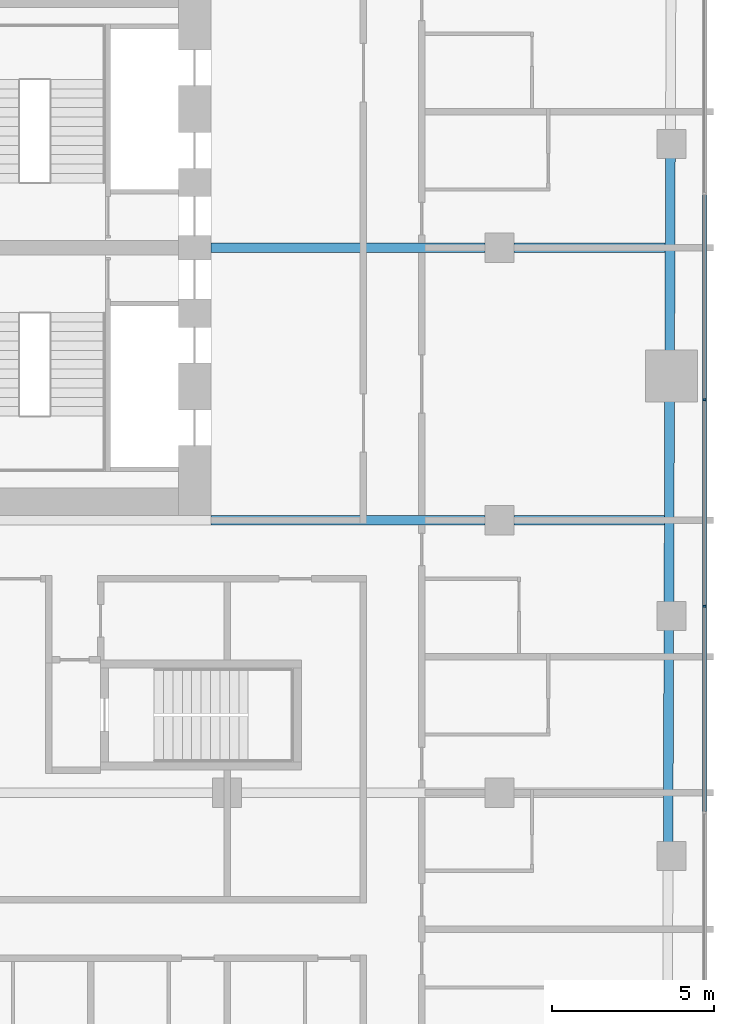
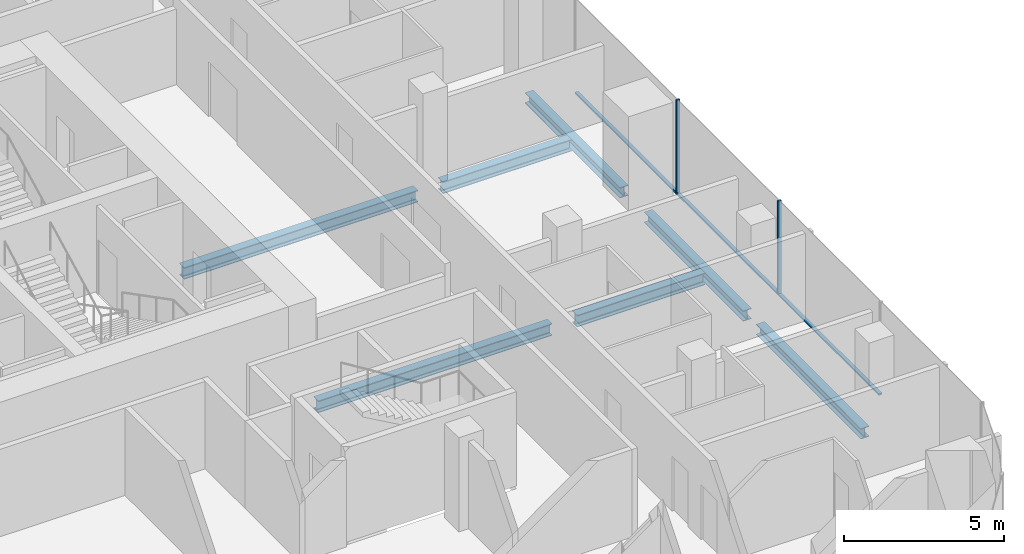
# One storey, part 7 of 23: 7 beams, 5 members, 1 element without a shape of its own.
"""IFC4 building model written with IfcOpenShell, lengths in metres."""

from ifc_helpers import new_model, si_unit, direction, frame, origin, origin_2d, place, context, subcontext, project, spatial, rectangle, i_section, extrude, material, layer, layer_set, material_profile, profile_set, type_object, element, aggregate, save


model = new_model("IFC4")

# Units and contexts
model_context = context("Model", 3, precision=1e-05, world=origin(), true_north=direction((0.0, 1.0)))
body_context = subcontext(model_context, "Body", "Model", "MODEL_VIEW")
ifc_project = project(units=[si_unit("LENGTHUNIT", "METRE"), si_unit("AREAUNIT", "SQUARE_METRE"), si_unit("VOLUMEUNIT", "CUBIC_METRE"), si_unit("PLANEANGLEUNIT", "RADIAN"), si_unit("MASSUNIT", "GRAM", prefix="KILO")], contexts=[model_context])

# Site, building, storey
site_placement = place(None, origin())
site = spatial("IfcSite", under=ifc_project, at=site_placement, CompositionType="ELEMENT")
building_placement = place(site_placement, origin())
building = spatial("IfcBuilding", under=site, at=building_placement, Name="Marenta Gate Hotel Tower", CompositionType="ELEMENT")
storey_placement = place(building_placement, frame((0.0, 0.0, 112.10009765625)))
storey = spatial("IfcBuildingStorey", under=building, at=storey_placement, Name="L24", CompositionType="ELEMENT", Elevation=112.10009765625)

# Beams
ifc_material_1 = material(Name="Steel S355", Category="steel")
ifc_material_profile_1 = material_profile(ifc_material_1, i_section(OverallWidth=0.300048828125, OverallDepth=0.39990234375, WebThickness=0.013427734375, FlangeThickness=0.02392578125, FilletRadius=0.027099609375, at=origin_2d()), Name="HEB 400")
ifc_profile_set_1 = profile_set([ifc_material_profile_1], Name="Steel S355")
beam_type_1 = type_object("IfcBeamType", Name="Edge beam HEB 400", PredefinedType="SPANDREL", material=ifc_profile_set_1)
beam_1_placement = place(storey_placement, frame((26.26416015625, 11.193115234375, -0.460205078125), z_axis=(-0.003305160059, -0.999994537944, 0.0), x_axis=(0.999994537944, -0.003305160059, 0.0)))
element("IfcBeam", 1, at=beam_1_placement, inside=storey, type_object=beam_type_1, Name="L24-EB-24", PredefinedType="SPANDREL", context=body_context, shape_type="SweptSolid", body=[
    extrude(i_section(OverallWidth=0.300048828125, OverallDepth=0.39990234375, WebThickness=0.013427734375, FlangeThickness=0.02392578125, FilletRadius=0.027099609375, at=origin_2d()), origin(), (0.0, 0.0, 1.0), 5.983154296875),
])
beam_2_placement = place(storey_placement, frame((26.2392578125, 3.68994140625, -0.460205078125), z_axis=(-0.003330441525, -0.999994454064, 0.0), x_axis=(0.999994454064, -0.003330441525, 0.0)))
element("IfcBeam", 2, at=beam_2_placement, inside=storey, type_object=beam_type_1, Name="L24-EB-25", PredefinedType="SPANDREL", context=body_context, shape_type="SweptSolid", body=[
    extrude(i_section(OverallWidth=0.300048828125, OverallDepth=0.39990234375, WebThickness=0.013427734375, FlangeThickness=0.02392578125, FilletRadius=0.027099609375, at=origin_2d()), origin(), (0.0, 0.0, 1.0), 6.23095703125),
])
beam_3_placement = place(storey_placement, frame((26.2158203125, -3.36083984375, -0.460205078125), z_axis=(-0.00333875569, -0.99999442634, 0.0), x_axis=(0.99999442634, -0.00333875569, 0.0)))
element("IfcBeam", 3, at=beam_3_placement, inside=storey, type_object=beam_type_1, Name="L24-EB-26", PredefinedType="SPANDREL", context=body_context, shape_type="SweptSolid", body=[
    extrude(i_section(OverallWidth=0.300048828125, OverallDepth=0.39990234375, WebThickness=0.013427734375, FlangeThickness=0.02392578125, FilletRadius=0.027099609375, at=origin_2d()), origin(), (0.0, 0.0, 1.0), 6.5810546875),
])
ifc_material_2 = material(Name="Steel S355", Category="steel")
ifc_material_profile_2 = material_profile(ifc_material_2, i_section(OverallWidth=0.300048828125, OverallDepth=0.449951171875, WebThickness=0.013916015625, FlangeThickness=0.02587890625, FilletRadius=0.027099609375, at=origin_2d()), Name="HEB 450")
ifc_profile_set_2 = profile_set([ifc_material_profile_2], Name="Steel S355")
beam_type_2 = type_object("IfcBeamType", Name="Girder HEB 450", PredefinedType="BEAM", material=ifc_profile_set_2)
beam_4_placement = place(storey_placement, frame((12.10009765625, 0.0, -0.485107421875), z_axis=(1.0, 0.0, 0.0), x_axis=(0.0, 1.0, 0.0)))
element("IfcBeam", 4, at=beam_4_placement, inside=storey, type_object=beam_type_2, Name="L24-GD-18", PredefinedType="BEAM", context=body_context, shape_type="SweptSolid", body=[
    extrude(i_section(OverallWidth=0.300048828125, OverallDepth=0.449951171875, WebThickness=0.013916015625, FlangeThickness=0.02587890625, FilletRadius=0.027099609375, at=origin_2d()), origin(), (0.0, 0.0, 1.0), 8.449951171875),
])
beam_5_placement = place(storey_placement, frame((21.449951171875, 0.0, -0.485107421875), z_axis=(1.0, 0.0, 0.0), x_axis=(0.0, 1.0, 0.0)))
element("IfcBeam", 5, at=beam_5_placement, inside=storey, type_object=beam_type_2, Name="L24-GD-19", PredefinedType="BEAM", context=body_context, shape_type="SweptSolid", body=[
    extrude(i_section(OverallWidth=0.300048828125, OverallDepth=0.449951171875, WebThickness=0.013916015625, FlangeThickness=0.02587890625, FilletRadius=0.027099609375, at=origin_2d()), origin(), (0.0, 0.0, 1.0), 4.626953125),
])
beam_6_placement = place(storey_placement, frame((12.10009765625, 8.39990234375, -0.485107421875), z_axis=(1.0, 0.0, 0.0), x_axis=(0.0, 1.0, 0.0)))
element("IfcBeam", 6, at=beam_6_placement, inside=storey, type_object=beam_type_2, Name="L24-GD-22", PredefinedType="BEAM", context=body_context, shape_type="SweptSolid", body=[
    extrude(i_section(OverallWidth=0.300048828125, OverallDepth=0.449951171875, WebThickness=0.013916015625, FlangeThickness=0.02587890625, FilletRadius=0.027099609375, at=origin_2d()), origin(), (0.0, 0.0, 1.0), 8.449951171875),
])
beam_7_placement = place(storey_placement, frame((21.449951171875, 8.39990234375, -0.485107421875), z_axis=(1.0, 0.0, 0.0), x_axis=(0.0, 1.0, 0.0)))
element("IfcBeam", 7, at=beam_7_placement, inside=storey, type_object=beam_type_2, Name="L24-GD-23", PredefinedType="BEAM", context=body_context, shape_type="SweptSolid", body=[
    extrude(i_section(OverallWidth=0.300048828125, OverallDepth=0.449951171875, WebThickness=0.013916015625, FlangeThickness=0.02587890625, FilletRadius=0.027099609375, at=origin_2d()), origin(), (0.0, 0.0, 1.0), 4.655029296875),
])

# Curtain wall, members
ifc_material_3 = material(Name="Tinted insulated glass in bronze anodised frame", Category="glass")
ifc_layer = layer(ifc_material_3, 0.1201171875)
ifc_layer_set = layer_set([ifc_layer], Name="Tinted insulated glass in bronze anodised frame")
curtain_wall_type = type_object("IfcCurtainWallType", Name="Tower unitised curtain wall CW1", PredefinedType="NOTDEFINED", material=ifc_layer_set)
curtain_wall_placement = place(storey_placement, origin())
curtain_wall = element("IfcCurtainWall", 8, at=curtain_wall_placement, inside=storey, type_object=curtain_wall_type, Name="CW1 run G11", PredefinedType="NOTDEFINED")
ifc_material_4 = material(Name="Bronze anodised aluminium", Category="aluminium")
ifc_material_profile_3 = material_profile(ifc_material_4, rectangle(XDim=0.1201171875, YDim=0.06005859375, at=origin_2d()), Name="Mullion CW1 60x120 bronze anodised aluminium")
ifc_profile_set_3 = profile_set([ifc_material_profile_3], Name="Bronze anodised aluminium")
member_type_1 = type_object("IfcMemberType", Name="Mullion CW1 60x120 bronze anodised aluminium", PredefinedType="MULLION", material=ifc_profile_set_3)
member_1_placement = place(storey_placement, frame((27.31396484375, -2.64794921875, 0.0), z_axis=(0.0, 0.0, 1.0), x_axis=(-1.0, 0.0, 0.0)))
member_1 = element("IfcMember", 9, at=member_1_placement, type_object=member_type_1, Name="CW1 mullion 3", PredefinedType="MULLION", context=body_context, shape_type="SweptSolid", body=[
    extrude(rectangle(XDim=0.1201171875, YDim=0.06005859375, at=origin_2d()), origin(), (0.0, 0.0, 1.0), 3.599853515625),
])
member_2_placement = place(storey_placement, frame((27.31396484375, 3.7119140625, 0.0), z_axis=(0.0, 0.0, 1.0), x_axis=(-1.0, 0.0, 0.0)))
member_2 = element("IfcMember", 10, at=member_2_placement, type_object=member_type_1, Name="CW1 mullion 4", PredefinedType="MULLION", context=body_context, shape_type="SweptSolid", body=[
    extrude(rectangle(XDim=0.1201171875, YDim=0.06005859375, at=origin_2d()), origin(), (0.0, 0.0, 1.0), 3.599853515625),
])
ifc_material_5 = material(Name="Bronze anodised aluminium", Category="aluminium")
ifc_material_profile_4 = material_profile(ifc_material_5, rectangle(XDim=0.1201171875, YDim=0.06005859375, at=origin_2d()), Name="Transom CW1 60x120 bronze anodised aluminium")
ifc_profile_set_4 = profile_set([ifc_material_profile_4], Name="Bronze anodised aluminium")
member_type_2 = type_object("IfcMemberType", Name="Transom CW1 60x120 bronze anodised aluminium", PredefinedType="USERDEFINED", material=ifc_profile_set_4)
member_3_placement = place(storey_placement, frame((27.31396484375, -8.97802734375, 0.02978515625), z_axis=(0.0, 1.0, 0.0), x_axis=(-1.0, 0.0, 0.0)))
member_3 = element("IfcMember", 11, at=member_3_placement, type_object=member_type_2, Name="CW1 transom 2.1", ObjectType="TRANSOM", PredefinedType="USERDEFINED", context=body_context, shape_type="SweptSolid", body=[
    extrude(rectangle(XDim=0.1201171875, YDim=0.06005859375, at=origin_2d()), origin(), (0.0, 0.0, 1.0), 6.300048828125),
])
member_4_placement = place(storey_placement, frame((27.31396484375, -2.617919921875, 0.02978515625), z_axis=(0.0, 1.0, 0.0), x_axis=(-1.0, 0.0, 0.0)))
member_4 = element("IfcMember", 12, at=member_4_placement, type_object=member_type_2, Name="CW1 transom 3.1", ObjectType="TRANSOM", PredefinedType="USERDEFINED", context=body_context, shape_type="SweptSolid", body=[
    extrude(rectangle(XDim=0.1201171875, YDim=0.06005859375, at=origin_2d()), origin(), (0.0, 0.0, 1.0), 6.2998046875),
])
member_5_placement = place(storey_placement, frame((27.31396484375, 3.741943359375, 0.02978515625), z_axis=(0.0, 1.0, 0.0), x_axis=(-1.0, 0.0, 0.0)))
member_5 = element("IfcMember", 13, at=member_5_placement, type_object=member_type_2, Name="CW1 transom 4.1", ObjectType="TRANSOM", PredefinedType="USERDEFINED", context=body_context, shape_type="SweptSolid", body=[
    extrude(rectangle(XDim=0.1201171875, YDim=0.06005859375, at=origin_2d()), origin(), (0.0, 0.0, 1.0), 6.300048828125),
])
aggregate(curtain_wall, [member_1, member_2, member_3, member_4, member_5])

save(model, "model.ifc")
